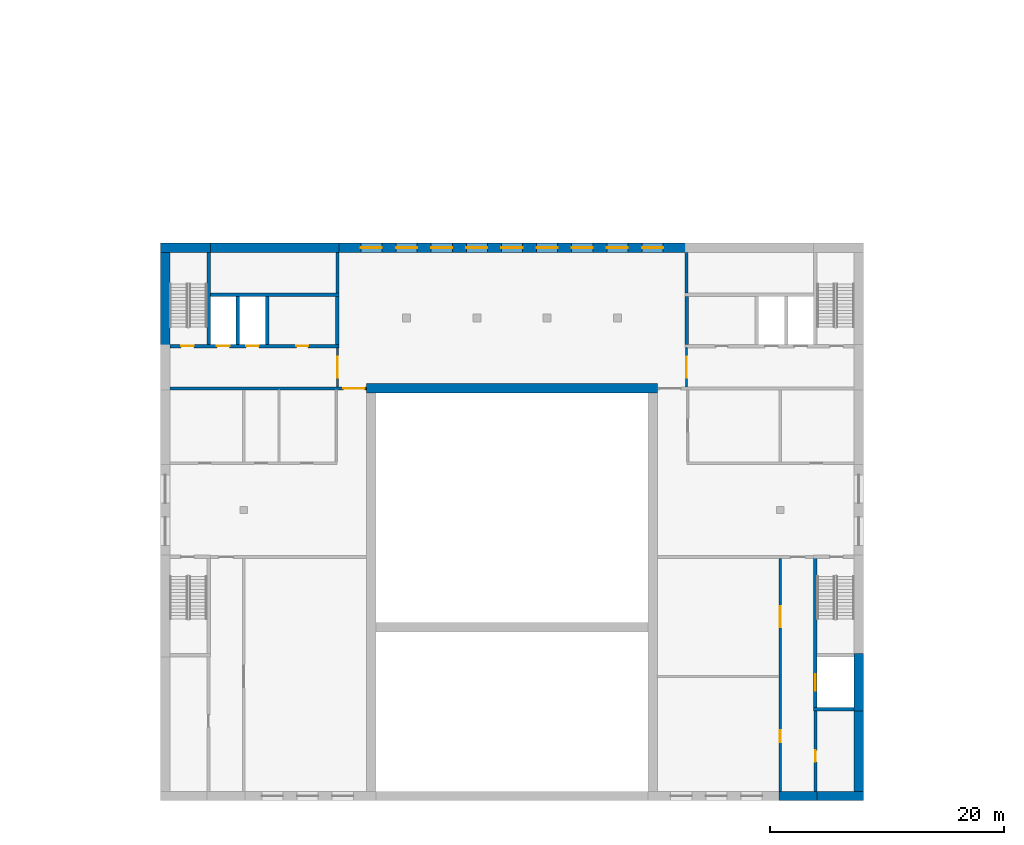
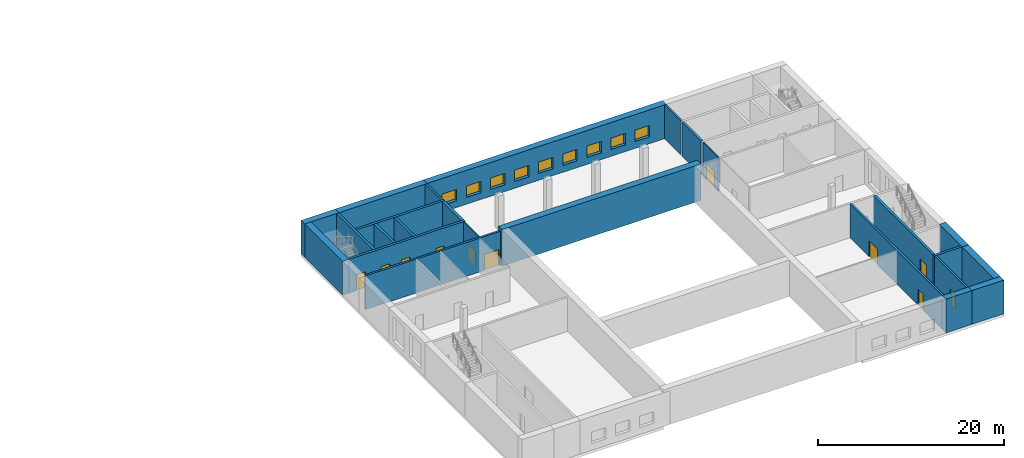
# One storey, part 4 of 23: 25 walls, 11 doors, 9 windows, 20 openings.
"""IFC4 building model written with IfcOpenShell, lengths in metres."""

from ifc_helpers import new_model, si_unit, direction, frame, frame_2d, origin, place, context, subcontext, project, spatial, rectangle, extrude, material, layer, layer_set, type_object, element, fill, save


model = new_model("IFC4")

# Units and contexts
model_context = context("Model", 3, precision=1e-05, world=origin(), true_north=direction((0.0, 1.0)))
body_context = subcontext(model_context, "Body", "Model", "MODEL_VIEW")
ifc_project = project(units=[si_unit("LENGTHUNIT", "METRE"), si_unit("AREAUNIT", "SQUARE_METRE"), si_unit("VOLUMEUNIT", "CUBIC_METRE"), si_unit("PLANEANGLEUNIT", "RADIAN"), si_unit("MASSUNIT", "GRAM", prefix="KILO")], contexts=[model_context])

# Site, building, storey
site_placement = place(None, origin())
site = spatial("IfcSite", under=ifc_project, at=site_placement, CompositionType="ELEMENT")
building_placement = place(site_placement, origin())
building = spatial("IfcBuilding", under=site, at=building_placement, Name="Kiln Ring Residences", CompositionType="ELEMENT")
storey_placement = place(building_placement, frame((0.0, 0.0, 16.10009765625)))
storey = spatial("IfcBuildingStorey", under=building, at=storey_placement, Name="L03", CompositionType="ELEMENT", Elevation=16.10009765625)

# Walls
ifc_material_1 = material(Name="Concrete C40/50", Category="concrete")
ifc_layer_1 = layer(ifc_material_1, 0.800048828125)
ifc_layer_set_1 = layer_set([ifc_layer_1], Name="Hall Board-marked concrete C40/50 hall wall 800 internal")
wall_type_1 = type_object("IfcWallType", Name="Hall Board-marked concrete C40/50 hall wall 800 internal", PredefinedType="SOLIDWALL", material=ifc_layer_set_1)
wall_1_placement = place(storey_placement, frame((-12.39990234375, -124.800048828125, 0.0), z_axis=(0.0, 0.0, 1.0), x_axis=(1.0, 0.0, 0.0)))
element("IfcWall", 1, at=wall_1_placement, inside=storey, type_object=wall_type_1, Name="Hall wall L03 20", PredefinedType="SOLIDWALL", context=body_context, shape_type="SweptSolid", body=[
    extrude(rectangle(XDim=24.7998046875, YDim=0.800048828125, at=frame_2d((12.39990234375, 0.0))), origin(), (0.0, 0.0, 1.0), 4.7998046875),
])
ifc_material_2 = material(Name="Concrete C40/50", Category="concrete")
ifc_layer_2 = layer(ifc_material_2, 0.800048828125)
ifc_layer_set_2 = layer_set([ifc_layer_2], Name="Hall Exposed brick-faced reinforced concrete C40/50 wall 800")
wall_type_2 = type_object("IfcWallType", Name="Hall Exposed brick-faced reinforced concrete C40/50 wall 800", PredefinedType="SOLIDWALL", material=ifc_layer_set_2)
wall_2_placement = place(storey_placement, frame((22.775146484375, -159.60009765625, 0.0), z_axis=(0.0, 0.0, 1.0), x_axis=(1.0, 0.0, 0.0)))
element("IfcWall", 2, at=wall_2_placement, inside=storey, type_object=wall_type_2, Name="Hall wall L03 6", PredefinedType="SOLIDWALL", context=body_context, shape_type="SweptSolid", body=[
    extrude(rectangle(XDim=3.249755859375, YDim=0.800048828125, at=frame_2d((1.625, 0.0))), origin(), (0.0, 0.0, 1.0), 4.449951171875),
])
wall_3_placement = place(storey_placement, frame((25.775146484375, -159.60009765625, 0.0), z_axis=(0.0, 0.0, 1.0), x_axis=(1.0, 0.0, 0.0)))
element("IfcWall", 3, at=wall_3_placement, inside=storey, type_object=wall_type_2, Name="Hall wall L03 7", PredefinedType="SOLIDWALL", context=body_context, shape_type="SweptSolid", body=[
    extrude(rectangle(XDim=4.224853515625, YDim=0.800048828125, at=frame_2d((2.1123046875, 0.0))), origin(), (0.0, 0.0, 1.0), 4.449951171875),
])
wall_4_placement = place(storey_placement, frame((-30.0, -112.800048828125, 0.0), z_axis=(0.0, 0.0, 1.0), x_axis=(1.0, 0.0, 0.0)))
element("IfcWall", 4, at=wall_4_placement, inside=storey, type_object=wall_type_2, Name="Hall wall L03 26", PredefinedType="SOLIDWALL", context=body_context, shape_type="SweptSolid", body=[
    extrude(rectangle(XDim=4.25, YDim=0.800048828125, at=frame_2d((2.125, 0.0))), origin(), (0.0, 0.0, 1.0), 4.449951171875),
])
wall_5_placement = place(storey_placement, frame((-26.0498046875, -112.800048828125, 0.0), z_axis=(0.0, 0.0, 1.0), x_axis=(1.0, 0.0, 0.0)))
element("IfcWall", 5, at=wall_5_placement, inside=storey, type_object=wall_type_2, Name="Hall wall L03 27", PredefinedType="SOLIDWALL", context=body_context, shape_type="SweptSolid", body=[
    extrude(rectangle(XDim=11.274658203125, YDim=0.800048828125, at=frame_2d((5.63720703125, 0.0))), origin(), (0.0, 0.0, 1.0), 4.449951171875),
])

# Wall, openings, windows
wall_6_placement = place(storey_placement, frame((-15.02490234375, -112.800048828125, 0.0), z_axis=(0.0, 0.0, 1.0), x_axis=(1.0, 0.0, 0.0)))
wall_6 = element("IfcWall", 6, at=wall_6_placement, inside=storey, type_object=wall_type_2, Name="Hall wall L03 28", PredefinedType="SOLIDWALL", context=body_context, shape_type="SweptSolid", body=[
    extrude(rectangle(XDim=30.0498046875, YDim=0.800048828125, at=frame_2d((15.02490234375, 0.0))), origin(), (0.0, 0.0, 1.0), 4.449951171875),
])
opening_1_placement = place(wall_6_placement, frame((2.125, 0.0, 0.89990234375)))
opening_1 = element("IfcOpeningElement", 7, at=opening_1_placement, cuts=wall_6, Name="Opening WL03-01", PredefinedType="OPENING", context=body_context, shape_type="SweptSolid", body=[
    extrude(rectangle(XDim=1.800048828125, YDim=1.5, at=frame_2d((0.89990234375, 0.75))), frame((0.0, 0.409912109375, 0.0), z_axis=(0.0, -1.0, 0.0), x_axis=(1.0, 0.0, 0.0)), (0.0, 0.0, 1.0), 0.820068359375),
])
opening_2_placement = place(wall_6_placement, frame((5.125, 0.0, 0.89990234375)))
opening_2 = element("IfcOpeningElement", 8, at=opening_2_placement, cuts=wall_6, Name="Opening WL03-02", PredefinedType="OPENING", context=body_context, shape_type="SweptSolid", body=[
    extrude(rectangle(XDim=1.800048828125, YDim=1.5, at=frame_2d((0.89990234375, 0.75))), frame((0.0, 0.409912109375, 0.0), z_axis=(0.0, -1.0, 0.0), x_axis=(1.0, 0.0, 0.0)), (0.0, 0.0, 1.0), 0.820068359375),
])
opening_3_placement = place(wall_6_placement, frame((8.125, 0.0, 0.89990234375)))
opening_3 = element("IfcOpeningElement", 9, at=opening_3_placement, cuts=wall_6, Name="Opening WL03-03", PredefinedType="OPENING", context=body_context, shape_type="SweptSolid", body=[
    extrude(rectangle(XDim=1.800048828125, YDim=1.5, at=frame_2d((0.89990234375, 0.75))), frame((0.0, 0.409912109375, 0.0), z_axis=(0.0, -1.0, 0.0), x_axis=(1.0, 0.0, 0.0)), (0.0, 0.0, 1.0), 0.820068359375),
])
opening_4_placement = place(wall_6_placement, frame((11.125, 0.0, 0.89990234375)))
opening_4 = element("IfcOpeningElement", 10, at=opening_4_placement, cuts=wall_6, Name="Opening WL03-04", PredefinedType="OPENING", context=body_context, shape_type="SweptSolid", body=[
    extrude(rectangle(XDim=1.800048828125, YDim=1.5, at=frame_2d((0.89990234375, 0.75))), frame((0.0, 0.409912109375, 0.0), z_axis=(0.0, -1.0, 0.0), x_axis=(1.0, 0.0, 0.0)), (0.0, 0.0, 1.0), 0.820068359375),
])
opening_5_placement = place(wall_6_placement, frame((14.125, 0.0, 0.89990234375)))
opening_5 = element("IfcOpeningElement", 11, at=opening_5_placement, cuts=wall_6, Name="Opening WL03-05", PredefinedType="OPENING", context=body_context, shape_type="SweptSolid", body=[
    extrude(rectangle(XDim=1.800048828125, YDim=1.5, at=frame_2d((0.89990234375, 0.75))), frame((0.0, 0.409912109375, 0.0), z_axis=(0.0, -1.0, 0.0), x_axis=(1.0, 0.0, 0.0)), (0.0, 0.0, 1.0), 0.820068359375),
])
opening_6_placement = place(wall_6_placement, frame((17.125, 0.0, 0.89990234375)))
opening_6 = element("IfcOpeningElement", 12, at=opening_6_placement, cuts=wall_6, Name="Opening WL03-06", PredefinedType="OPENING", context=body_context, shape_type="SweptSolid", body=[
    extrude(rectangle(XDim=1.800048828125, YDim=1.5, at=frame_2d((0.89990234375, 0.75))), frame((0.0, 0.409912109375, 0.0), z_axis=(0.0, -1.0, 0.0), x_axis=(1.0, 0.0, 0.0)), (0.0, 0.0, 1.0), 0.820068359375),
])
opening_7_placement = place(wall_6_placement, frame((20.125, 0.0, 0.89990234375)))
opening_7 = element("IfcOpeningElement", 13, at=opening_7_placement, cuts=wall_6, Name="Opening WL03-07", PredefinedType="OPENING", context=body_context, shape_type="SweptSolid", body=[
    extrude(rectangle(XDim=1.800048828125, YDim=1.5, at=frame_2d((0.89990234375, 0.75))), frame((0.0, 0.409912109375, 0.0), z_axis=(0.0, -1.0, 0.0), x_axis=(1.0, 0.0, 0.0)), (0.0, 0.0, 1.0), 0.820068359375),
])
opening_8_placement = place(wall_6_placement, frame((23.125, 0.0, 0.89990234375)))
opening_8 = element("IfcOpeningElement", 14, at=opening_8_placement, cuts=wall_6, Name="Opening WL03-08", PredefinedType="OPENING", context=body_context, shape_type="SweptSolid", body=[
    extrude(rectangle(XDim=1.800048828125, YDim=1.5, at=frame_2d((0.89990234375, 0.75))), frame((0.0, 0.409912109375, 0.0), z_axis=(0.0, -1.0, 0.0), x_axis=(1.0, 0.0, 0.0)), (0.0, 0.0, 1.0), 0.820068359375),
])
opening_9_placement = place(wall_6_placement, frame((26.125, 0.0, 0.89990234375)))
opening_9 = element("IfcOpeningElement", 15, at=opening_9_placement, cuts=wall_6, Name="Opening WL03-09", PredefinedType="OPENING", context=body_context, shape_type="SweptSolid", body=[
    extrude(rectangle(XDim=1.800048828125, YDim=1.5, at=frame_2d((0.89990234375, 0.75))), frame((0.0, 0.409912109375, 0.0), z_axis=(0.0, -1.0, 0.0), x_axis=(1.0, 0.0, 0.0)), (0.0, 0.0, 1.0), 0.820068359375),
])
ifc_material_3 = material(Name="Glazing in aluminium frame", Category="aluminium")
window_type = type_object("IfcWindowType", Name="Hall room window 1800 x 1500", PartitioningType="DOUBLE_PANEL_VERTICAL", PredefinedType="WINDOW", material=ifc_material_3)
window_1_placement = place(opening_1_placement, origin())
window_1 = element("IfcWindow", 16, at=window_1_placement, inside=storey, type_object=window_type, Name="Hall window L03-01", OverallHeight=1.5, OverallWidth=1.800048828125, PartitioningType="SINGLE_PANEL", PredefinedType="WINDOW", context=body_context, shape_type="SweptSolid", body=[
    extrude(rectangle(XDim=1.800048828125, YDim=1.5, at=frame_2d((0.89990234375, 0.75))), frame((0.0, 0.030029296875, 0.0), z_axis=(0.0, -1.0, 0.0), x_axis=(1.0, 0.0, 0.0)), (0.0, 0.0, 1.0), 0.06005859375),
])
fill(opening_1, window_1)
window_2_placement = place(opening_2_placement, origin())
window_2 = element("IfcWindow", 17, at=window_2_placement, inside=storey, type_object=window_type, Name="Hall window L03-02", OverallHeight=1.5, OverallWidth=1.800048828125, PartitioningType="SINGLE_PANEL", PredefinedType="WINDOW", context=body_context, shape_type="SweptSolid", body=[
    extrude(rectangle(XDim=1.800048828125, YDim=1.5, at=frame_2d((0.89990234375, 0.75))), frame((0.0, 0.030029296875, 0.0), z_axis=(0.0, -1.0, 0.0), x_axis=(1.0, 0.0, 0.0)), (0.0, 0.0, 1.0), 0.06005859375),
])
fill(opening_2, window_2)
window_3_placement = place(opening_3_placement, origin())
window_3 = element("IfcWindow", 18, at=window_3_placement, inside=storey, type_object=window_type, Name="Hall window L03-03", OverallHeight=1.5, OverallWidth=1.800048828125, PartitioningType="SINGLE_PANEL", PredefinedType="WINDOW", context=body_context, shape_type="SweptSolid", body=[
    extrude(rectangle(XDim=1.800048828125, YDim=1.5, at=frame_2d((0.89990234375, 0.75))), frame((0.0, 0.030029296875, 0.0), z_axis=(0.0, -1.0, 0.0), x_axis=(1.0, 0.0, 0.0)), (0.0, 0.0, 1.0), 0.06005859375),
])
fill(opening_3, window_3)
window_4_placement = place(opening_4_placement, origin())
window_4 = element("IfcWindow", 19, at=window_4_placement, inside=storey, type_object=window_type, Name="Hall window L03-04", OverallHeight=1.5, OverallWidth=1.800048828125, PartitioningType="SINGLE_PANEL", PredefinedType="WINDOW", context=body_context, shape_type="SweptSolid", body=[
    extrude(rectangle(XDim=1.800048828125, YDim=1.5, at=frame_2d((0.89990234375, 0.75))), frame((0.0, 0.030029296875, 0.0), z_axis=(0.0, -1.0, 0.0), x_axis=(1.0, 0.0, 0.0)), (0.0, 0.0, 1.0), 0.06005859375),
])
fill(opening_4, window_4)
window_5_placement = place(opening_5_placement, origin())
window_5 = element("IfcWindow", 20, at=window_5_placement, inside=storey, type_object=window_type, Name="Hall window L03-05", OverallHeight=1.5, OverallWidth=1.800048828125, PartitioningType="SINGLE_PANEL", PredefinedType="WINDOW", context=body_context, shape_type="SweptSolid", body=[
    extrude(rectangle(XDim=1.800048828125, YDim=1.5, at=frame_2d((0.89990234375, 0.75))), frame((0.0, 0.030029296875, 0.0), z_axis=(0.0, -1.0, 0.0), x_axis=(1.0, 0.0, 0.0)), (0.0, 0.0, 1.0), 0.06005859375),
])
fill(opening_5, window_5)
window_6_placement = place(opening_6_placement, origin())
window_6 = element("IfcWindow", 21, at=window_6_placement, inside=storey, type_object=window_type, Name="Hall window L03-06", OverallHeight=1.5, OverallWidth=1.800048828125, PartitioningType="SINGLE_PANEL", PredefinedType="WINDOW", context=body_context, shape_type="SweptSolid", body=[
    extrude(rectangle(XDim=1.800048828125, YDim=1.5, at=frame_2d((0.89990234375, 0.75))), frame((0.0, 0.030029296875, 0.0), z_axis=(0.0, -1.0, 0.0), x_axis=(1.0, 0.0, 0.0)), (0.0, 0.0, 1.0), 0.06005859375),
])
fill(opening_6, window_6)
window_7_placement = place(opening_7_placement, origin())
window_7 = element("IfcWindow", 22, at=window_7_placement, inside=storey, type_object=window_type, Name="Hall window L03-07", OverallHeight=1.5, OverallWidth=1.800048828125, PartitioningType="SINGLE_PANEL", PredefinedType="WINDOW", context=body_context, shape_type="SweptSolid", body=[
    extrude(rectangle(XDim=1.800048828125, YDim=1.5, at=frame_2d((0.89990234375, 0.75))), frame((0.0, 0.030029296875, 0.0), z_axis=(0.0, -1.0, 0.0), x_axis=(1.0, 0.0, 0.0)), (0.0, 0.0, 1.0), 0.06005859375),
])
fill(opening_7, window_7)
window_8_placement = place(opening_8_placement, origin())
window_8 = element("IfcWindow", 23, at=window_8_placement, inside=storey, type_object=window_type, Name="Hall window L03-08", OverallHeight=1.5, OverallWidth=1.800048828125, PartitioningType="SINGLE_PANEL", PredefinedType="WINDOW", context=body_context, shape_type="SweptSolid", body=[
    extrude(rectangle(XDim=1.800048828125, YDim=1.5, at=frame_2d((0.89990234375, 0.75))), frame((0.0, 0.030029296875, 0.0), z_axis=(0.0, -1.0, 0.0), x_axis=(1.0, 0.0, 0.0)), (0.0, 0.0, 1.0), 0.06005859375),
])
fill(opening_8, window_8)
window_9_placement = place(opening_9_placement, origin())
window_9 = element("IfcWindow", 24, at=window_9_placement, inside=storey, type_object=window_type, Name="Hall window L03-09", OverallHeight=1.5, OverallWidth=1.800048828125, PartitioningType="SINGLE_PANEL", PredefinedType="WINDOW", context=body_context, shape_type="SweptSolid", body=[
    extrude(rectangle(XDim=1.800048828125, YDim=1.5, at=frame_2d((0.89990234375, 0.75))), frame((0.0, 0.030029296875, 0.0), z_axis=(0.0, -1.0, 0.0), x_axis=(1.0, 0.0, 0.0)), (0.0, 0.0, 1.0), 0.06005859375),
])
fill(opening_9, window_9)

# Walls
wall_7_placement = place(storey_placement, frame((-29.60009765625, -121.349853515625, 0.0), z_axis=(0.0, 0.0, 1.0), x_axis=(0.0, 1.0, 0.0)))
element("IfcWall", 25, at=wall_7_placement, inside=storey, type_object=wall_type_2, Name="Hall wall L03 36", PredefinedType="SOLIDWALL", context=body_context, shape_type="SweptSolid", body=[
    extrude(rectangle(XDim=8.14990234375, YDim=0.800048828125, at=frame_2d((4.074951171875, 0.0))), origin(), (0.0, 0.0, 1.0), 4.449951171875),
])
wall_8_placement = place(storey_placement, frame((29.60009765625, -152.050048828125, 0.0), z_axis=(0.0, 0.0, 1.0), x_axis=(0.0, -1.0, 0.0)))
element("IfcWall", 26, at=wall_8_placement, inside=storey, type_object=wall_type_2, Name="Hall wall L03 62", PredefinedType="SOLIDWALL", context=body_context, shape_type="SweptSolid", body=[
    extrude(rectangle(XDim=7.14990234375, YDim=0.800048828125, at=frame_2d((3.574951171875, 0.0))), origin(), (0.0, 0.0, 1.0), 4.449951171875),
])
wall_9_placement = place(storey_placement, frame((29.60009765625, -147.4501953125, 0.0), z_axis=(0.0, 0.0, 1.0), x_axis=(0.0, -1.0, 0.0)))
element("IfcWall", 27, at=wall_9_placement, inside=storey, type_object=wall_type_2, Name="Hall wall L03 63", PredefinedType="SOLIDWALL", context=body_context, shape_type="SweptSolid", body=[
    extrude(rectangle(XDim=4.899658203125, YDim=0.800048828125, at=frame_2d((2.44970703125, 0.0))), origin(), (0.0, 0.0, 1.0), 4.449951171875),
])
ifc_material_4 = material(Name="Concrete C40/50", Category="concrete")
ifc_layer_3 = layer(ifc_material_4, 0.300048828125)
ifc_layer_set_3 = layer_set([ifc_layer_3], Name="Hall Reinforced concrete C40/50 core wall 300")
wall_type_3 = type_object("IfcWallType", Name="Hall Reinforced concrete C40/50 core wall 300", PredefinedType="SOLIDWALL", material=ifc_layer_set_3)
wall_10_placement = place(storey_placement, frame((25.75, -152.199951171875, 0.0), z_axis=(0.0, 0.0, 1.0), x_axis=(1.0, 0.0, 0.0)))
element("IfcWall", 28, at=wall_10_placement, inside=storey, type_object=wall_type_3, Name="Hall wall L03 8", PredefinedType="SOLIDWALL", context=body_context, shape_type="SweptSolid", body=[
    extrude(rectangle(XDim=3.449951171875, YDim=0.300048828125, at=frame_2d((1.72509765625, 0.0))), origin(), (0.0, 0.0, 1.0), 4.449951171875),
])

# Wall, openings, doors
wall_11_placement = place(storey_placement, frame((-29.199951171875, -121.199951171875, 0.0), z_axis=(0.0, 0.0, 1.0), x_axis=(1.0, 0.0, 0.0)))
wall_11 = element("IfcWall", 29, at=wall_11_placement, inside=storey, type_object=wall_type_3, Name="Hall wall L03 22", PredefinedType="SOLIDWALL", context=body_context, shape_type="SweptSolid", body=[
    extrude(rectangle(XDim=14.449951171875, YDim=0.300048828125, at=frame_2d((7.22509765625, 0.0))), origin(), (0.0, 0.0, 1.0), 4.449951171875),
])
opening_10_placement = place(wall_11_placement, frame((4.0, 0.0, 0.0)))
opening_10 = element("IfcOpeningElement", 30, at=opening_10_placement, cuts=wall_11, Name="Opening L03-01", PredefinedType="OPENING", context=body_context, shape_type="SweptSolid", body=[
    extrude(rectangle(XDim=1.10009765625, YDim=2.10009765625, at=frame_2d((0.550048828125, 1.050048828125))), frame((0.0, 0.159912109375, 0.0), z_axis=(0.0, -1.0, 0.0), x_axis=(1.0, 0.0, 0.0)), (0.0, 0.0, 1.0), 0.320068359375),
])
opening_11_placement = place(wall_11_placement, frame((6.5, 0.0, 0.0)))
opening_11 = element("IfcOpeningElement", 31, at=opening_11_placement, cuts=wall_11, Name="Opening L03-02", PredefinedType="OPENING", context=body_context, shape_type="SweptSolid", body=[
    extrude(rectangle(XDim=1.10009765625, YDim=2.10009765625, at=frame_2d((0.550048828125, 1.050048828125))), frame((0.0, 0.159912109375, 0.0), z_axis=(0.0, -1.0, 0.0), x_axis=(1.0, 0.0, 0.0)), (0.0, 0.0, 1.0), 0.320068359375),
])
opening_12_placement = place(wall_11_placement, frame((0.949951171875, 0.0, 0.0)))
opening_12 = element("IfcOpeningElement", 32, at=opening_12_placement, cuts=wall_11, Name="Opening L03-06", PredefinedType="OPENING", context=body_context, shape_type="SweptSolid", body=[
    extrude(rectangle(XDim=1.10009765625, YDim=2.10009765625, at=frame_2d((0.550048828125, 1.050048828125))), frame((0.0, 0.159912109375, 0.0), z_axis=(0.0, -1.0, 0.0), x_axis=(1.0, 0.0, 0.0)), (0.0, 0.0, 1.0), 0.320068359375),
])
opening_13_placement = place(wall_11_placement, frame((10.800048828125, 0.0, 0.0)))
opening_13 = element("IfcOpeningElement", 33, at=opening_13_placement, cuts=wall_11, Name="Opening L03-10", PredefinedType="OPENING", context=body_context, shape_type="SweptSolid", body=[
    extrude(rectangle(XDim=1.0, YDim=2.10009765625, at=frame_2d((0.5, 1.050048828125))), frame((0.0, 0.159912109375, 0.0), z_axis=(0.0, -1.0, 0.0), x_axis=(1.0, 0.0, 0.0)), (0.0, 0.0, 1.0), 0.320068359375),
])
ifc_material_5 = material(Name="Steel door leaf", Category="steel")
door_type_1 = type_object("IfcDoorType", Name="Hall Lift landing door 1100 x 2100", OperationType="DOUBLE_DOOR_SLIDING", PredefinedType="DOOR", material=ifc_material_5)
door_1_placement = place(opening_10_placement, origin())
door_1 = element("IfcDoor", 34, at=door_1_placement, inside=storey, type_object=door_type_1, Name="Hall door L03-01", OperationType="DOUBLE_DOOR_SLIDING", OverallHeight=2.10009765625, OverallWidth=1.10009765625, PredefinedType="DOOR", context=body_context, shape_type="SweptSolid", body=[
    extrude(rectangle(XDim=1.10009765625, YDim=2.10009765625, at=frame_2d((0.550048828125, 1.050048828125))), frame((0.0, 0.02490234375, 0.0), z_axis=(0.0, -1.0, 0.0), x_axis=(1.0, 0.0, 0.0)), (0.0, 0.0, 1.0), 0.050048828125),
])
fill(opening_10, door_1)
door_2_placement = place(opening_11_placement, origin())
door_2 = element("IfcDoor", 35, at=door_2_placement, inside=storey, type_object=door_type_1, Name="Hall door L03-02", OperationType="DOUBLE_DOOR_SLIDING", OverallHeight=2.10009765625, OverallWidth=1.10009765625, PredefinedType="DOOR", context=body_context, shape_type="SweptSolid", body=[
    extrude(rectangle(XDim=1.10009765625, YDim=2.10009765625, at=frame_2d((0.550048828125, 1.050048828125))), frame((0.0, 0.02490234375, 0.0), z_axis=(0.0, -1.0, 0.0), x_axis=(1.0, 0.0, 0.0)), (0.0, 0.0, 1.0), 0.050048828125),
])
fill(opening_11, door_2)
ifc_material_6 = material(Name="Steel door leaf", Category="steel")
door_type_2 = type_object("IfcDoorType", Name="Hall Single door 1000 x 2100", OperationType="SINGLE_SWING_LEFT", PredefinedType="DOOR", material=ifc_material_6)
door_3_placement = place(opening_13_placement, origin())
door_3 = element("IfcDoor", 36, at=door_3_placement, inside=storey, type_object=door_type_2, Name="Hall door L03-10", OperationType="SINGLE_SWING_RIGHT", OverallHeight=2.10009765625, OverallWidth=1.0, PredefinedType="DOOR", context=body_context, shape_type="SweptSolid", body=[
    extrude(rectangle(XDim=1.0, YDim=2.10009765625, at=frame_2d((0.5, 1.050048828125))), frame((0.0, 0.02490234375, 0.0), z_axis=(0.0, -1.0, 0.0), x_axis=(1.0, 0.0, 0.0)), (0.0, 0.0, 1.0), 0.050048828125),
])
fill(opening_13, door_3)
ifc_material_7 = material(Name="Steel door leaf", Category="steel")
door_type_3 = type_object("IfcDoorType", Name="Hall Stair door 1100 x 2100", OperationType="SINGLE_SWING_LEFT", PredefinedType="DOOR", material=ifc_material_7)
door_4_placement = place(opening_12_placement, origin())
door_4 = element("IfcDoor", 37, at=door_4_placement, inside=storey, type_object=door_type_3, Name="Hall door L03-06", OperationType="SINGLE_SWING_RIGHT", OverallHeight=2.10009765625, OverallWidth=1.10009765625, PredefinedType="DOOR", context=body_context, shape_type="SweptSolid", body=[
    extrude(rectangle(XDim=1.10009765625, YDim=2.10009765625, at=frame_2d((0.550048828125, 1.050048828125))), frame((0.0, 0.02490234375, 0.0), z_axis=(0.0, -1.0, 0.0), x_axis=(1.0, 0.0, 0.0)), (0.0, 0.0, 1.0), 0.050048828125),
])
fill(opening_12, door_4)

# Walls
wall_12_placement = place(storey_placement, frame((-25.75, -116.800048828125, 0.0), z_axis=(0.0, 0.0, 1.0), x_axis=(1.0, 0.0, 0.0)))
element("IfcWall", 38, at=wall_12_placement, inside=storey, type_object=wall_type_3, Name="Hall wall L03 24", PredefinedType="SOLIDWALL", context=body_context, shape_type="SweptSolid", body=[
    extrude(rectangle(XDim=11.0, YDim=0.300048828125, at=frame_2d((5.5, 0.0))), origin(), (0.0, 0.0, 1.0), 4.449951171875),
])
wall_13_placement = place(storey_placement, frame((-25.89990234375, -121.050048828125, 0.0), z_axis=(0.0, 0.0, 1.0), x_axis=(0.0, 1.0, 0.0)))
element("IfcWall", 39, at=wall_13_placement, inside=storey, type_object=wall_type_3, Name="Hall wall L03 39", PredefinedType="SOLIDWALL", context=body_context, shape_type="SweptSolid", body=[
    extrude(rectangle(XDim=7.85009765625, YDim=0.300048828125, at=frame_2d((3.925048828125, 0.0))), origin(), (0.0, 0.0, 1.0), 4.449951171875),
])
for number, where, z_axis, x_axis, name in (
    (40, (-23.39990234375, -121.050048828125, 0.0), (0.0, 0.0, 1.0), (0.0, 1.0, 0.0), "Hall wall L03 40"),
    (41, (-20.89990234375, -121.050048828125, 0.0), (0.0, 0.0, 1.0), (0.0, 1.0, 0.0), "Hall wall L03 43"),
    (42, (-14.89990234375, -121.050048828125, 0.0), (0.0, 0.0, 1.0), (0.0, 1.0, 0.0), "Hall wall L03 47"),
    (43, (14.89990234375, -121.050048828125, 0.0), (0.0, 0.0, 1.0), (0.0, 1.0, 0.0), "Hall wall L03 52"),
):
    element("IfcWall", number, at=place(storey_placement, frame(where, z_axis=z_axis, x_axis=x_axis)), inside=storey, type_object=wall_type_3, Name=name, PredefinedType="SOLIDWALL", context=body_context, shape_type="SweptSolid", body=[
        extrude(rectangle(XDim=4.10009765625, YDim=0.300048828125, at=frame_2d((2.050048828125, 0.0))), origin(), (0.0, 0.0, 1.0), 4.449951171875),
    ])

# Wall, opening, door
wall_14_placement = place(storey_placement, frame((25.89990234375, -152.050048828125, 0.0), z_axis=(0.0, 0.0, 1.0), x_axis=(0.0, 1.0, 0.0)))
wall_14 = element("IfcWall", 44, at=wall_14_placement, inside=storey, type_object=wall_type_3, Name="Hall wall L03 60", PredefinedType="SOLIDWALL", context=body_context, shape_type="SweptSolid", body=[
    extrude(rectangle(XDim=12.824951171875, YDim=0.300048828125, at=frame_2d((6.41259765625, 0.0))), origin(), (0.0, 0.0, 1.0), 4.449951171875),
])
opening_14_placement = place(wall_14_placement, frame((1.449951171875, 0.0, 0.0)))
opening_14 = element("IfcOpeningElement", 45, at=opening_14_placement, cuts=wall_14, Name="Opening L03-05", PredefinedType="OPENING", context=body_context, shape_type="SweptSolid", body=[
    extrude(rectangle(XDim=1.39990234375, YDim=2.199951171875, at=frame_2d((0.699951171875, 1.10009765625))), frame((0.0, 0.159912109375, 0.0), z_axis=(0.0, -1.0, 0.0), x_axis=(1.0, 0.0, 0.0)), (0.0, 0.0, 1.0), 0.320068359375),
])
ifc_material_8 = material(Name="Steel door leaf", Category="steel")
door_type_4 = type_object("IfcDoorType", Name="Hall Goods lift landing door 1400 x 2200", OperationType="DOUBLE_DOOR_SLIDING", PredefinedType="DOOR", material=ifc_material_8)
door_5_placement = place(opening_14_placement, origin())
door_5 = element("IfcDoor", 46, at=door_5_placement, inside=storey, type_object=door_type_4, Name="Hall door L03-05", OperationType="DOUBLE_DOOR_SLIDING", OverallHeight=2.199951171875, OverallWidth=1.39990234375, PredefinedType="DOOR", context=body_context, shape_type="SweptSolid", body=[
    extrude(rectangle(XDim=1.39990234375, YDim=2.199951171875, at=frame_2d((0.699951171875, 1.10009765625))), frame((0.0, 0.02490234375, 0.0), z_axis=(0.0, -1.0, 0.0), x_axis=(1.0, 0.0, 0.0)), (0.0, 0.0, 1.0), 0.050048828125),
])
fill(opening_14, door_5)

ifc_material_9 = material(Name="Concrete C40/50", Category="concrete")
ifc_layer_4 = layer(ifc_material_9, 0.25)
ifc_layer_set_4 = layer_set([ifc_layer_4], Name="Hall Reinforced concrete C40/50 wall 250")
wall_type_4 = type_object("IfcWallType", Name="Hall Reinforced concrete C40/50 wall 250", PredefinedType="SOLIDWALL", material=ifc_layer_set_4)
wall_15_placement = place(storey_placement, frame((-29.199951171875, -124.800048828125, 0.0), z_axis=(0.0, 0.0, 1.0), x_axis=(1.0, 0.0, 0.0)))
wall_15 = element("IfcWall", 47, at=wall_15_placement, inside=storey, type_object=wall_type_4, Name="Hall wall L03 19", PredefinedType="SOLIDWALL", context=body_context, shape_type="SweptSolid", body=[
    extrude(rectangle(XDim=16.800048828125, YDim=0.25, at=frame_2d((8.39990234375, 0.0))), origin(), (0.0, 0.0, 1.0), 4.449951171875),
])
opening_15_placement = place(wall_15_placement, frame((14.800048828125, 0.0, 0.0)))
opening_15 = element("IfcOpeningElement", 48, at=opening_15_placement, cuts=wall_15, Name="Opening L03-14", PredefinedType="OPENING", context=body_context, shape_type="SweptSolid", body=[
    extrude(rectangle(XDim=1.800048828125, YDim=2.10009765625, at=frame_2d((0.89990234375, 1.050048828125))), frame((0.0, 0.135009765625, 0.0), z_axis=(0.0, -1.0, 0.0), x_axis=(1.0, 0.0, 0.0)), (0.0, 0.0, 1.0), 0.27001953125),
])
ifc_material_10 = material(Name="Steel door leaf", Category="steel")
door_type_5 = type_object("IfcDoorType", Name="Hall Double door 1800 x 2100", OperationType="DOUBLE_DOOR_SINGLE_SWING", PredefinedType="DOOR", material=ifc_material_10)
door_6_placement = place(opening_15_placement, origin())
door_6 = element("IfcDoor", 49, at=door_6_placement, inside=storey, type_object=door_type_5, Name="Hall door L03-14", OperationType="DOUBLE_DOOR_SINGLE_SWING", OverallHeight=2.10009765625, OverallWidth=1.800048828125, PredefinedType="DOOR", context=body_context, shape_type="SweptSolid", body=[
    extrude(rectangle(XDim=1.800048828125, YDim=2.10009765625, at=frame_2d((0.89990234375, 1.050048828125))), frame((0.0, 0.02490234375, 0.0), z_axis=(0.0, -1.0, 0.0), x_axis=(1.0, 0.0, 0.0)), (0.0, 0.0, 1.0), 0.050048828125),
])
fill(opening_15, door_6)

# Walls
for number, where, z_axis, x_axis, name in (
    (50, (-14.89990234375, -116.64990234375, 0.0), (0.0, 0.0, 1.0), (0.0, 1.0, 0.0), "Hall wall L03 48"),
    (51, (14.89990234375, -116.64990234375, 0.0), (0.0, 0.0, 1.0), (0.0, 1.0, 0.0), "Hall wall L03 53"),
):
    element("IfcWall", number, at=place(storey_placement, frame(where, z_axis=z_axis, x_axis=x_axis)), inside=storey, type_object=wall_type_4, Name=name, PredefinedType="SOLIDWALL", context=body_context, shape_type="SweptSolid", body=[
        extrude(rectangle(XDim=3.449951171875, YDim=0.25, at=frame_2d((1.72509765625, 0.0))), origin(), (0.0, 0.0, 1.0), 4.449951171875),
    ])

# Wall, openings, doors
wall_16_placement = place(storey_placement, frame((22.89990234375, -159.199951171875, 0.0), z_axis=(0.0, 0.0, 1.0), x_axis=(0.0, 1.0, 0.0)))
wall_16 = element("IfcWall", 52, at=wall_16_placement, inside=storey, type_object=wall_type_4, Name="Hall wall L03 56", PredefinedType="SOLIDWALL", context=body_context, shape_type="SweptSolid", body=[
    extrude(rectangle(XDim=19.875, YDim=0.25, at=frame_2d((9.9375, 0.0))), origin(), (0.0, 0.0, 1.0), 4.449951171875),
])
opening_16_placement = place(wall_16_placement, frame((14.0, 0.0, 0.0)))
opening_16 = element("IfcOpeningElement", 53, at=opening_16_placement, cuts=wall_16, Name="Opening L03-23", PredefinedType="OPENING", context=body_context, shape_type="SweptSolid", body=[
    extrude(rectangle(XDim=1.800048828125, YDim=2.10009765625, at=frame_2d((0.89990234375, 1.050048828125))), frame((0.0, 0.135009765625, 0.0), z_axis=(0.0, -1.0, 0.0), x_axis=(1.0, 0.0, 0.0)), (0.0, 0.0, 1.0), 0.27001953125),
])
opening_17_placement = place(wall_16_placement, frame((4.199951171875, 0.0, 0.0)))
opening_17 = element("IfcOpeningElement", 54, at=opening_17_placement, cuts=wall_16, Name="Opening L03-24", PredefinedType="OPENING", context=body_context, shape_type="SweptSolid", body=[
    extrude(rectangle(XDim=1.0, YDim=2.10009765625, at=frame_2d((0.5, 1.050048828125))), frame((0.0, 0.135009765625, 0.0), z_axis=(0.0, -1.0, 0.0), x_axis=(1.0, 0.0, 0.0)), (0.0, 0.0, 1.0), 0.27001953125),
])
door_7_placement = place(opening_16_placement, origin())
door_7 = element("IfcDoor", 55, at=door_7_placement, inside=storey, type_object=door_type_5, Name="Hall door L03-23", OperationType="DOUBLE_DOOR_SINGLE_SWING", OverallHeight=2.10009765625, OverallWidth=1.800048828125, PredefinedType="DOOR", context=body_context, shape_type="SweptSolid", body=[
    extrude(rectangle(XDim=1.800048828125, YDim=2.10009765625, at=frame_2d((0.89990234375, 1.050048828125))), frame((0.0, 0.02490234375, 0.0), z_axis=(0.0, -1.0, 0.0), x_axis=(1.0, 0.0, 0.0)), (0.0, 0.0, 1.0), 0.050048828125),
])
fill(opening_16, door_7)
door_8_placement = place(opening_17_placement, origin())
door_8 = element("IfcDoor", 56, at=door_8_placement, inside=storey, type_object=door_type_2, Name="Hall door L03-24", OperationType="SINGLE_SWING_RIGHT", OverallHeight=2.10009765625, OverallWidth=1.0, PredefinedType="DOOR", context=body_context, shape_type="SweptSolid", body=[
    extrude(rectangle(XDim=1.0, YDim=2.10009765625, at=frame_2d((0.5, 1.050048828125))), frame((0.0, 0.02490234375, 0.0), z_axis=(0.0, -1.0, 0.0), x_axis=(1.0, 0.0, 0.0)), (0.0, 0.0, 1.0), 0.050048828125),
])
fill(opening_17, door_8)

# Wall, opening, door
wall_17_placement = place(storey_placement, frame((25.89990234375, -159.199951171875, 0.0), z_axis=(0.0, 0.0, 1.0), x_axis=(0.0, 1.0, 0.0)))
wall_17 = element("IfcWall", 57, at=wall_17_placement, inside=storey, type_object=wall_type_4, Name="Hall wall L03 59", PredefinedType="SOLIDWALL", context=body_context, shape_type="SweptSolid", body=[
    extrude(rectangle(XDim=6.849853515625, YDim=0.25, at=frame_2d((3.4248046875, 0.0))), origin(), (0.0, 0.0, 1.0), 4.449951171875),
])
opening_18_placement = place(wall_17_placement, frame((2.5, 0.0, 0.0)))
opening_18 = element("IfcOpeningElement", 58, at=opening_18_placement, cuts=wall_17, Name="Opening L03-25", PredefinedType="OPENING", context=body_context, shape_type="SweptSolid", body=[
    extrude(rectangle(XDim=1.0, YDim=2.10009765625, at=frame_2d((0.5, 1.050048828125))), frame((0.0, 0.135009765625, 0.0), z_axis=(0.0, -1.0, 0.0), x_axis=(1.0, 0.0, 0.0)), (0.0, 0.0, 1.0), 0.27001953125),
])
door_9_placement = place(opening_18_placement, origin())
door_9 = element("IfcDoor", 59, at=door_9_placement, inside=storey, type_object=door_type_2, Name="Hall door L03-25", OperationType="SINGLE_SWING_LEFT", OverallHeight=2.10009765625, OverallWidth=1.0, PredefinedType="DOOR", context=body_context, shape_type="SweptSolid", body=[
    extrude(rectangle(XDim=1.0, YDim=2.10009765625, at=frame_2d((0.5, 1.050048828125))), frame((0.0, 0.02490234375, 0.0), z_axis=(0.0, -1.0, 0.0), x_axis=(1.0, 0.0, 0.0)), (0.0, 0.0, 1.0), 0.050048828125),
])
fill(opening_18, door_9)

ifc_material_11 = material(Name="Masonry blockwork f'm 10 MPa", Category="masonry")
ifc_layer_5 = layer(ifc_material_11, 0.14990234375)
ifc_layer_set_5 = layer_set([ifc_layer_5], Name="Hall blockwork partition 150")
wall_type_5 = type_object("IfcWallType", Name="Hall blockwork partition 150", PredefinedType="PARTITIONING", material=ifc_layer_set_5)
wall_18_placement = place(storey_placement, frame((-14.89990234375, -124.675048828125, 0.0), z_axis=(0.0, 0.0, 1.0), x_axis=(0.0, 1.0, 0.0)))
wall_18 = element("IfcWall", 60, at=wall_18_placement, inside=storey, type_object=wall_type_5, Name="Hall wall L03 46", PredefinedType="PARTITIONING", context=body_context, shape_type="SweptSolid", body=[
    extrude(rectangle(XDim=3.324951171875, YDim=0.14990234375, at=frame_2d((1.66259765625, 0.0))), origin(), (0.0, 0.0, 1.0), 4.449951171875),
])
opening_19_placement = place(wall_18_placement, frame((0.77490234375, 0.0, 0.0)))
opening_19 = element("IfcOpeningElement", 61, at=opening_19_placement, cuts=wall_18, Name="Opening L03-12", PredefinedType="OPENING", context=body_context, shape_type="SweptSolid", body=[
    extrude(rectangle(XDim=1.800048828125, YDim=2.10009765625, at=frame_2d((0.89990234375, 1.050048828125))), frame((0.0, 0.0849609375, 0.0), z_axis=(0.0, -1.0, 0.0), x_axis=(1.0, 0.0, 0.0)), (0.0, 0.0, 1.0), 0.169921875),
])
door_10_placement = place(opening_19_placement, origin())
door_10 = element("IfcDoor", 62, at=door_10_placement, inside=storey, type_object=door_type_5, Name="Hall door L03-12", OperationType="DOUBLE_DOOR_SINGLE_SWING", OverallHeight=2.10009765625, OverallWidth=1.800048828125, PredefinedType="DOOR", context=body_context, shape_type="SweptSolid", body=[
    extrude(rectangle(XDim=1.800048828125, YDim=2.10009765625, at=frame_2d((0.89990234375, 1.050048828125))), frame((0.0, 0.02490234375, 0.0), z_axis=(0.0, -1.0, 0.0), x_axis=(1.0, 0.0, 0.0)), (0.0, 0.0, 1.0), 0.050048828125),
])
fill(opening_19, door_10)

wall_19_placement = place(storey_placement, frame((14.89990234375, -124.675048828125, 0.0), z_axis=(0.0, 0.0, 1.0), x_axis=(0.0, 1.0, 0.0)))
wall_19 = element("IfcWall", 63, at=wall_19_placement, inside=storey, type_object=wall_type_5, Name="Hall wall L03 51", PredefinedType="PARTITIONING", context=body_context, shape_type="SweptSolid", body=[
    extrude(rectangle(XDim=3.324951171875, YDim=0.14990234375, at=frame_2d((1.66259765625, 0.0))), origin(), (0.0, 0.0, 1.0), 4.449951171875),
])
opening_20_placement = place(wall_19_placement, frame((0.77490234375, 0.0, 0.0)))
opening_20 = element("IfcOpeningElement", 64, at=opening_20_placement, cuts=wall_19, Name="Opening L03-13", PredefinedType="OPENING", context=body_context, shape_type="SweptSolid", body=[
    extrude(rectangle(XDim=1.800048828125, YDim=2.10009765625, at=frame_2d((0.89990234375, 1.050048828125))), frame((0.0, 0.0849609375, 0.0), z_axis=(0.0, -1.0, 0.0), x_axis=(1.0, 0.0, 0.0)), (0.0, 0.0, 1.0), 0.169921875),
])
door_11_placement = place(opening_20_placement, origin())
door_11 = element("IfcDoor", 65, at=door_11_placement, inside=storey, type_object=door_type_5, Name="Hall door L03-13", OperationType="DOUBLE_DOOR_SINGLE_SWING", OverallHeight=2.10009765625, OverallWidth=1.800048828125, PredefinedType="DOOR", context=body_context, shape_type="SweptSolid", body=[
    extrude(rectangle(XDim=1.800048828125, YDim=2.10009765625, at=frame_2d((0.89990234375, 1.050048828125))), frame((0.0, 0.02490234375, 0.0), z_axis=(0.0, -1.0, 0.0), x_axis=(1.0, 0.0, 0.0)), (0.0, 0.0, 1.0), 0.050048828125),
])
fill(opening_20, door_11)

save(model, "model.ifc")
